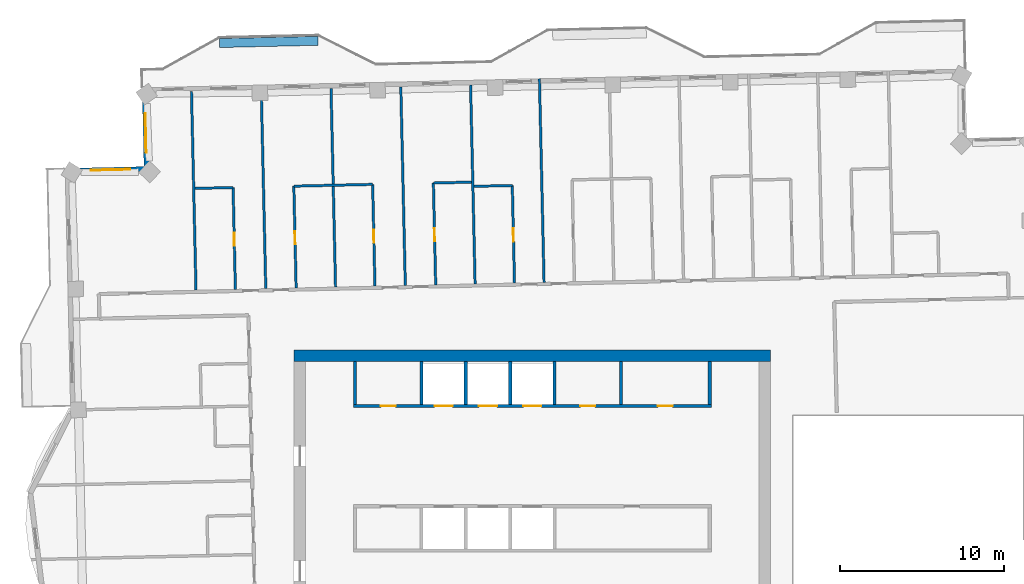
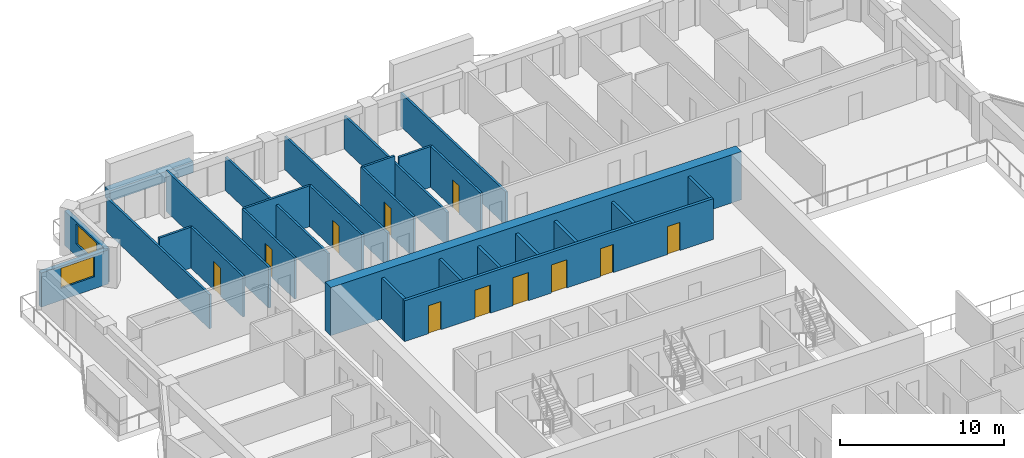
# One storey, part 13 of 20: 27 walls, 11 doors, 2 windows, 13 openings.
"""IFC4 building model written with IfcOpenShell, lengths in metres."""

from ifc_helpers import new_model, si_unit, direction, frame, frame_2d, origin, place, context, subcontext, project, spatial, rectangle, extrude, material, layer, layer_set, type_object, element, fill, save


model = new_model("IFC4")

# Units and contexts
model_context = context("Model", 3, precision=1e-05, world=origin(), true_north=direction((0.0, 1.0)))
body_context = subcontext(model_context, "Body", "Model", "MODEL_VIEW")
ifc_project = project(units=[si_unit("LENGTHUNIT", "METRE"), si_unit("AREAUNIT", "SQUARE_METRE"), si_unit("VOLUMEUNIT", "CUBIC_METRE"), si_unit("PLANEANGLEUNIT", "RADIAN"), si_unit("MASSUNIT", "GRAM", prefix="KILO")], contexts=[model_context])

# Site, building, storey
site_placement = place(None, origin())
site = spatial("IfcSite", under=ifc_project, at=site_placement, CompositionType="ELEMENT")
building_placement = place(site_placement, origin())
building = spatial("IfcBuilding", under=site, at=building_placement, Name="Mangrove Gate Tower", CompositionType="ELEMENT")
storey_placement = place(building_placement, frame((0.0, 0.0, 294.300048828125)))
storey = spatial("IfcBuildingStorey", under=building, at=storey_placement, Name="L75", CompositionType="ELEMENT", Elevation=294.300048828125)

# Walls
ifc_material_1 = material(Name="Concrete C32/40", Category="concrete")
ifc_layer_1 = layer(ifc_material_1, 0.199951171875)
ifc_layer_set_1 = layer_set([ifc_layer_1], Name="Core room wall 200 C32/40")
wall_type_1 = type_object("IfcWallType", Name="Core room wall 200 C32/40", PredefinedType="STANDARD", material=ifc_layer_set_1)
for number, where, z_axis, x_axis, name in (
    (1, (-10.800048828125, 8.199951171875, 0.0), (0.0, 0.0, 1.0), (0.0, 1.0, 0.0), "WALL-L75-CORE-25"),
    (2, (5.39990234375, 8.199951171875, 0.0), (0.0, 0.0, 1.0), (0.0, 1.0, 0.0), "WALL-L75-CORE-30"),
    (3, (10.800048828125, 8.199951171875, 0.0), (0.0, 0.0, 1.0), (0.0, 1.0, 0.0), "WALL-L75-CORE-31"),
):
    element("IfcWall", number, at=place(storey_placement, frame(where, z_axis=z_axis, x_axis=x_axis)), inside=storey, type_object=wall_type_1, Name=name, PredefinedType="STANDARD", context=body_context, shape_type="SweptSolid", body=[
        extrude(rectangle(XDim=2.60009765625, YDim=0.199951171875, at=frame_2d((1.300048828125, 0.0))), origin(), (0.0, 0.0, 1.0), 3.050048828125),
    ])

# Wall, openings, doors
ifc_material_2 = material(Name="Concrete C50/60", Category="concrete")
ifc_layer_2 = layer(ifc_material_2, 0.199951171875)
ifc_layer_set_2 = layer_set([ifc_layer_2], Name="Core shaft wall 200 C50/60")
wall_type_2 = type_object("IfcWallType", Name="Core shaft wall 200 C50/60", PredefinedType="SHEAR", material=ifc_layer_set_2)
wall_1_placement = place(storey_placement, frame((-10.89990234375, 8.10009765625, 0.0), z_axis=(0.0, 0.0, 1.0), x_axis=(1.0, 0.0, 0.0)))
wall_1 = element("IfcWall", 4, at=wall_1_placement, inside=storey, type_object=wall_type_2, Name="WALL-L75-CORE-8", PredefinedType="SHEAR", context=body_context, shape_type="SweptSolid", body=[
    extrude(rectangle(XDim=21.7998046875, YDim=0.199951171875, at=frame_2d((10.89990234375, 0.0))), origin(), (0.0, 0.0, 1.0), 3.050048828125),
])
opening_1_placement = place(wall_1_placement, frame((4.949951171875, 0.0, 0.0)))
opening_1 = element("IfcOpeningElement", 5, at=opening_1_placement, cuts=wall_1, Name="Opening LD", PredefinedType="OPENING", context=body_context, shape_type="SweptSolid", body=[
    extrude(rectangle(XDim=1.10009765625, YDim=2.10009765625, at=frame_2d((0.550048828125, 1.050048828125))), frame((0.0, 0.10986328125, 0.0), z_axis=(0.0, -1.0, 0.0), x_axis=(1.0, 0.0, 0.0)), (0.0, 0.0, 1.0), 0.219970703125),
])
opening_2_placement = place(wall_1_placement, frame((7.64990234375, 0.0, 0.0)))
opening_2 = element("IfcOpeningElement", 6, at=opening_2_placement, cuts=wall_1, Name="Opening LD", PredefinedType="OPENING", context=body_context, shape_type="SweptSolid", body=[
    extrude(rectangle(XDim=1.10009765625, YDim=2.10009765625, at=frame_2d((0.550048828125, 1.050048828125))), frame((0.0, 0.10986328125, 0.0), z_axis=(0.0, -1.0, 0.0), x_axis=(1.0, 0.0, 0.0)), (0.0, 0.0, 1.0), 0.219970703125),
])
opening_3_placement = place(wall_1_placement, frame((10.35009765625, 0.0, 0.0)))
opening_3 = element("IfcOpeningElement", 7, at=opening_3_placement, cuts=wall_1, Name="Opening LD", PredefinedType="OPENING", context=body_context, shape_type="SweptSolid", body=[
    extrude(rectangle(XDim=1.10009765625, YDim=2.10009765625, at=frame_2d((0.550048828125, 1.050048828125))), frame((0.0, 0.10986328125, 0.0), z_axis=(0.0, -1.0, 0.0), x_axis=(1.0, 0.0, 0.0)), (0.0, 0.0, 1.0), 0.219970703125),
])
opening_4_placement = place(wall_1_placement, frame((1.675048828125, 0.0, 0.0)))
opening_4 = element("IfcOpeningElement", 8, at=opening_4_placement, cuts=wall_1, Name="Opening RD", PredefinedType="OPENING", context=body_context, shape_type="SweptSolid", body=[
    extrude(rectangle(XDim=0.89990234375, YDim=2.10009765625, at=frame_2d((0.449951171875, 1.050048828125))), frame((0.0, 0.10986328125, 0.0), z_axis=(0.0, -1.0, 0.0), x_axis=(1.0, 0.0, 0.0)), (0.0, 0.0, 1.0), 0.219970703125),
])
opening_5_placement = place(wall_1_placement, frame((13.824951171875, 0.0, 0.0)))
opening_5 = element("IfcOpeningElement", 9, at=opening_5_placement, cuts=wall_1, Name="Opening RD", PredefinedType="OPENING", context=body_context, shape_type="SweptSolid", body=[
    extrude(rectangle(XDim=0.89990234375, YDim=2.10009765625, at=frame_2d((0.449951171875, 1.050048828125))), frame((0.0, 0.10986328125, 0.0), z_axis=(0.0, -1.0, 0.0), x_axis=(1.0, 0.0, 0.0)), (0.0, 0.0, 1.0), 0.219970703125),
])
opening_6_placement = place(wall_1_placement, frame((18.550048828125, 0.0, 0.0)))
opening_6 = element("IfcOpeningElement", 10, at=opening_6_placement, cuts=wall_1, Name="Opening KD", PredefinedType="OPENING", context=body_context, shape_type="SweptSolid", body=[
    extrude(rectangle(XDim=0.89990234375, YDim=2.10009765625, at=frame_2d((0.449951171875, 1.050048828125))), frame((0.0, 0.10986328125, 0.0), z_axis=(0.0, -1.0, 0.0), x_axis=(1.0, 0.0, 0.0)), (0.0, 0.0, 1.0), 0.219970703125),
])
ifc_material_3 = material(Name="Fire-rated steel door set", Category="steel")
door_type_1 = type_object("IfcDoorType", Name="Core room door FD30S 900x2100", OperationType="SINGLE_SWING_RIGHT", PredefinedType="DOOR", material=ifc_material_3)
door_1_placement = place(opening_6_placement, origin())
door_1 = element("IfcDoor", 11, at=door_1_placement, inside=storey, type_object=door_type_1, Name="Core room door Core WC", OperationType="SINGLE_SWING_RIGHT", OverallHeight=2.10009765625, OverallWidth=0.89990234375, PredefinedType="DOOR", context=body_context, shape_type="SweptSolid", body=[
    extrude(rectangle(XDim=0.89990234375, YDim=2.10009765625, at=frame_2d((0.449951171875, 1.050048828125))), frame((0.0, 0.02490234375, 0.0), z_axis=(0.0, -1.0, 0.0), x_axis=(1.0, 0.0, 0.0)), (0.0, 0.0, 1.0), 0.050048828125),
])
fill(opening_6, door_1)
ifc_material_4 = material(Name="Stainless steel 316", Category="steel")
door_type_2 = type_object("IfcDoorType", Name="Lift landing door 1100x2100", OperationType="SLIDING_TO_LEFT", PredefinedType="DOOR", material=ifc_material_4)
door_2_placement = place(opening_1_placement, origin())
door_2 = element("IfcDoor", 12, at=door_2_placement, inside=storey, type_object=door_type_2, Name="Landing door LD H04", OperationType="SLIDING_TO_LEFT", OverallHeight=2.10009765625, OverallWidth=1.10009765625, PredefinedType="DOOR", context=body_context, shape_type="SweptSolid", body=[
    extrude(rectangle(XDim=1.10009765625, YDim=2.10009765625, at=frame_2d((0.550048828125, 1.050048828125))), frame((0.0, 0.02490234375, 0.0), z_axis=(0.0, -1.0, 0.0), x_axis=(1.0, 0.0, 0.0)), (0.0, 0.0, 1.0), 0.050048828125),
])
fill(opening_1, door_2)
door_3_placement = place(opening_2_placement, origin())
door_3 = element("IfcDoor", 13, at=door_3_placement, inside=storey, type_object=door_type_2, Name="Landing door LD H05", OperationType="SLIDING_TO_LEFT", OverallHeight=2.10009765625, OverallWidth=1.10009765625, PredefinedType="DOOR", context=body_context, shape_type="SweptSolid", body=[
    extrude(rectangle(XDim=1.10009765625, YDim=2.10009765625, at=frame_2d((0.550048828125, 1.050048828125))), frame((0.0, 0.02490234375, 0.0), z_axis=(0.0, -1.0, 0.0), x_axis=(1.0, 0.0, 0.0)), (0.0, 0.0, 1.0), 0.050048828125),
])
fill(opening_2, door_3)
door_4_placement = place(opening_3_placement, origin())
door_4 = element("IfcDoor", 14, at=door_4_placement, inside=storey, type_object=door_type_2, Name="Landing door LD H06", OperationType="SLIDING_TO_LEFT", OverallHeight=2.10009765625, OverallWidth=1.10009765625, PredefinedType="DOOR", context=body_context, shape_type="SweptSolid", body=[
    extrude(rectangle(XDim=1.10009765625, YDim=2.10009765625, at=frame_2d((0.550048828125, 1.050048828125))), frame((0.0, 0.02490234375, 0.0), z_axis=(0.0, -1.0, 0.0), x_axis=(1.0, 0.0, 0.0)), (0.0, 0.0, 1.0), 0.050048828125),
])
fill(opening_3, door_4)
ifc_material_5 = material(Name="Fire-rated steel door set", Category="steel")
door_type_3 = type_object("IfcDoorType", Name="Riser door FD30S 900x2100", OperationType="SINGLE_SWING_LEFT", PredefinedType="DOOR", material=ifc_material_5)
door_5_placement = place(opening_4_placement, origin())
door_5 = element("IfcDoor", 15, at=door_5_placement, inside=storey, type_object=door_type_3, Name="Riser door Switch room", OperationType="SINGLE_SWING_LEFT", OverallHeight=2.10009765625, OverallWidth=0.89990234375, PredefinedType="DOOR", context=body_context, shape_type="SweptSolid", body=[
    extrude(rectangle(XDim=0.89990234375, YDim=2.10009765625, at=frame_2d((0.449951171875, 1.050048828125))), frame((0.0, 0.02490234375, 0.0), z_axis=(0.0, -1.0, 0.0), x_axis=(1.0, 0.0, 0.0)), (0.0, 0.0, 1.0), 0.050048828125),
])
fill(opening_4, door_5)
door_6_placement = place(opening_5_placement, origin())
door_6 = element("IfcDoor", 16, at=door_6_placement, inside=storey, type_object=door_type_3, Name="Riser door Comms room", OperationType="SINGLE_SWING_LEFT", OverallHeight=2.10009765625, OverallWidth=0.89990234375, PredefinedType="DOOR", context=body_context, shape_type="SweptSolid", body=[
    extrude(rectangle(XDim=0.89990234375, YDim=2.10009765625, at=frame_2d((0.449951171875, 1.050048828125))), frame((0.0, 0.02490234375, 0.0), z_axis=(0.0, -1.0, 0.0), x_axis=(1.0, 0.0, 0.0)), (0.0, 0.0, 1.0), 0.050048828125),
])
fill(opening_5, door_6)

# Walls
for number, where, z_axis, x_axis, name in (
    (17, (-6.75, 8.199951171875, 0.0), (0.0, 0.0, 1.0), (0.0, 1.0, 0.0), "WALL-L75-CORE-26"),
    (18, (-4.050048828125, 8.199951171875, 0.0), (0.0, 0.0, 1.0), (0.0, 1.0, 0.0), "WALL-L75-CORE-27"),
    (19, (-1.35009765625, 8.199951171875, 0.0), (0.0, 0.0, 1.0), (0.0, 1.0, 0.0), "WALL-L75-CORE-28"),
    (20, (1.35009765625, 8.199951171875, 0.0), (0.0, 0.0, 1.0), (0.0, 1.0, 0.0), "WALL-L75-CORE-29"),
):
    element("IfcWall", number, at=place(storey_placement, frame(where, z_axis=z_axis, x_axis=x_axis)), inside=storey, type_object=wall_type_2, Name=name, PredefinedType="SHEAR", context=body_context, shape_type="SweptSolid", body=[
        extrude(rectangle(XDim=2.60009765625, YDim=0.199951171875, at=frame_2d((1.300048828125, 0.0))), origin(), (0.0, 0.0, 1.0), 3.050048828125),
    ])
ifc_material_6 = material(Name="Concrete C50/60", Category="concrete")
ifc_layer_3 = layer(ifc_material_6, 0.699951171875)
ifc_layer_set_3 = layer_set([ifc_layer_3], Name="Core wall 700 C50/60")
wall_type_3 = type_object("IfcWallType", Name="Core wall 700 C50/60", PredefinedType="SHEAR", material=ifc_layer_set_3)
wall_2_placement = place(storey_placement, frame((-14.5, 11.14990234375, 0.0), z_axis=(0.0, 0.0, 1.0), x_axis=(1.0, 0.0, 0.0)))
element("IfcWall", 21, at=wall_2_placement, inside=storey, type_object=wall_type_3, Name="WALL-L75-CORE-2", PredefinedType="SHEAR", context=body_context, shape_type="SweptSolid", body=[
    extrude(rectangle(XDim=29.0, YDim=0.699951171875, at=frame_2d((14.5, 0.0))), origin(), (0.0, 0.0, 1.0), 3.599853515625),
])

# Wall, opening, window
ifc_material_7 = material(Name="Limestone", Category="masonry")
ifc_layer_4 = layer(ifc_material_7, 0.0400390625, Name="Limestone cladding")
ifc_material_8 = material(Name="Ventilated air gap")
ifc_layer_5 = layer(ifc_material_8, 0.0400390625, Name="Ventilated cavity")
ifc_material_9 = material(Name="Mineral wool insulation")
ifc_layer_6 = layer(ifc_material_9, 0.06005859375, Name="Insulation")
ifc_material_10 = material(Name="Breather membrane")
ifc_layer_7 = layer(ifc_material_10, 0.001953125, Name="Breather membrane")
ifc_material_11 = material(Name="Concrete C20/25 blockwork", Category="masonry")
ifc_layer_8 = layer(ifc_material_11, 0.14990234375, Name="Blockwork backing wall")
ifc_material_12 = material(Name="Gypsum plaster")
ifc_layer_9 = layer(ifc_material_12, 0.008056640625, Name="Internal plaster")
ifc_layer_set_4 = layer_set([ifc_layer_4, ifc_layer_5, ifc_layer_6, ifc_layer_7, ifc_layer_8, ifc_layer_9], Name="External wall 300 limestone cladding")
wall_type_4 = type_object("IfcWallType", Name="External wall 300 limestone cladding", PredefinedType="SOLIDWALL", material=ifc_layer_set_4)
wall_3_placement = place(storey_placement, frame((-23.60693359375, 27.3349609375, 0.0), z_axis=(0.0, 0.0, 1.0), x_axis=(0.022683280499, -0.999742701292, 0.0)))
wall_3 = element("IfcWall", 22, at=wall_3_placement, inside=storey, type_object=wall_type_4, Name="WALL-L75-W6", PredefinedType="SOLIDWALL", context=body_context, shape_type="SweptSolid", body=[
    extrude(rectangle(XDim=4.80029296875, YDim=0.300048828125, at=frame_2d((2.400146484375, 0.0))), origin(), (0.0, 0.0, 1.0), 2.550048828125),
])
opening_7_placement = place(wall_3_placement, frame((1.408935546875, 0.0, 0.89990234375)))
opening_7 = element("IfcOpeningElement", 23, at=opening_7_placement, cuts=wall_3, Name="Opening W2", PredefinedType="OPENING", context=body_context, shape_type="SweptSolid", body=[
    extrude(rectangle(XDim=2.39990234375, YDim=1.5, at=frame_2d((1.199951171875, 0.75))), frame((0.0, 0.159912109375, 0.0), z_axis=(0.0, -1.0, 0.0), x_axis=(1.0, 0.0, 0.0)), (0.0, 0.0, 1.0), 0.320068359375),
])
ifc_material_13 = material(Name="Aluminium frame with double-glazed low-e glass", Category="aluminium")
window_type = type_object("IfcWindowType", Name="Corner room window 2400x1500", PartitioningType="DOUBLE_PANEL_VERTICAL", PredefinedType="WINDOW", material=ifc_material_13)
window_1_placement = place(opening_7_placement, origin())
window_1 = element("IfcWindow", 24, at=window_1_placement, inside=storey, type_object=window_type, Name="WIN-L75-W6-1", OverallHeight=1.5, OverallWidth=2.39990234375, PartitioningType="DOUBLE_PANEL_VERTICAL", PredefinedType="WINDOW", context=body_context, shape_type="SweptSolid", body=[
    extrude(rectangle(XDim=2.39990234375, YDim=1.5, at=frame_2d((1.199951171875, 0.75))), frame((0.0, 0.030029296875, 0.0), z_axis=(0.0, -1.0, 0.0), x_axis=(1.0, 0.0, 0.0)), (0.0, 0.0, 1.0), 0.06005859375),
])
fill(opening_7, window_1)

wall_4_placement = place(storey_placement, frame((-23.498046875, 22.535888671875, 0.0), z_axis=(0.0, 0.0, 1.0), x_axis=(-0.999742701292, -0.022683280499, 0.0)))
wall_4 = element("IfcWall", 25, at=wall_4_placement, inside=storey, type_object=wall_type_4, Name="WALL-L75-N7", PredefinedType="SOLIDWALL", context=body_context, shape_type="SweptSolid", body=[
    extrude(rectangle(XDim=4.80029296875, YDim=0.300048828125, at=frame_2d((2.400146484375, 0.0))), origin(), (0.0, 0.0, 1.0), 2.550048828125),
])
opening_8_placement = place(wall_4_placement, frame((0.989990234375, 0.0, 0.89990234375)))
opening_8 = element("IfcOpeningElement", 26, at=opening_8_placement, cuts=wall_4, Name="Opening W2", PredefinedType="OPENING", context=body_context, shape_type="SweptSolid", body=[
    extrude(rectangle(XDim=2.39990234375, YDim=1.5, at=frame_2d((1.199951171875, 0.75))), frame((0.0, 0.159912109375, 0.0), z_axis=(0.0, -1.0, 0.0), x_axis=(1.0, 0.0, 0.0)), (0.0, 0.0, 1.0), 0.320068359375),
])
window_2_placement = place(opening_8_placement, origin())
window_2 = element("IfcWindow", 27, at=window_2_placement, inside=storey, type_object=window_type, Name="WIN-L75-N7-1", OverallHeight=1.5, OverallWidth=2.39990234375, PartitioningType="DOUBLE_PANEL_VERTICAL", PredefinedType="WINDOW", context=body_context, shape_type="SweptSolid", body=[
    extrude(rectangle(XDim=2.39990234375, YDim=1.5, at=frame_2d((1.199951171875, 0.75))), frame((0.0, 0.030029296875, 0.0), z_axis=(0.0, -1.0, 0.0), x_axis=(1.0, 0.0, 0.0)), (0.0, 0.0, 1.0), 0.06005859375),
])
fill(opening_8, window_2)

# Wall
ifc_material_14 = material(Name="Gypsum board on steel stud, EI 60", Category="steel")
ifc_layer_10 = layer(ifc_material_14, 0.14990234375)
ifc_layer_set_5 = layer_set([ifc_layer_10], Name="Party wall 150 EI 60")
wall_type_5 = type_object("IfcWallType", Name="Party wall 150 EI 60", PredefinedType="PARTITIONING", material=ifc_layer_set_5)
wall_5_placement = place(storey_placement, frame((-20.48193359375, 15.152099609375, 0.0), z_axis=(0.0, 0.0, 1.0), x_axis=(-0.022737445516, 0.999741470867, 0.0)))
element("IfcWall", 28, at=wall_5_placement, inside=storey, type_object=wall_type_5, Name="WALL-L75-061", PredefinedType="PARTITIONING", context=body_context, shape_type="SweptSolid", body=[
    extrude(rectangle(XDim=12.10107421875, YDim=0.14990234375, at=frame_2d((6.050537109375, 0.0))), origin(), (0.0, 0.0, 1.0), 2.550048828125),
])

# Wall, opening, door
wall_6_placement = place(storey_placement, frame((-18.0830078125, 15.20703125, 0.0), z_axis=(0.0, 0.0, 1.0), x_axis=(-0.022564860101, 0.999745381129, 0.0)))
wall_6 = element("IfcWall", 29, at=wall_6_placement, inside=storey, type_object=wall_type_5, Name="WALL-L75-062", PredefinedType="PARTITIONING", context=body_context, shape_type="SweptSolid", body=[
    extrude(rectangle(XDim=6.199462890625, YDim=0.14990234375, at=frame_2d((3.099609375, 0.0))), origin(), (0.0, 0.0, 1.0), 3.050048828125),
])
opening_9_placement = place(wall_6_placement, frame((2.64990234375, 0.0, 0.0)))
opening_9 = element("IfcOpeningElement", 30, at=opening_9_placement, cuts=wall_6, Name="Opening ED", PredefinedType="OPENING", context=body_context, shape_type="SweptSolid", body=[
    extrude(rectangle(XDim=0.800048828125, YDim=2.10009765625, at=frame_2d((0.39990234375, 1.050048828125))), frame((0.0, 0.0849609375, 0.0), z_axis=(0.0, -1.0, 0.0), x_axis=(1.0, 0.0, 0.0)), (0.0, 0.0, 1.0), 0.169921875),
])
ifc_material_15 = material(Name="Timber door leaf", Category="wood")
door_type_4 = type_object("IfcDoorType", Name="En-suite door 800", OperationType="SINGLE_SWING_LEFT", PredefinedType="DOOR", material=ifc_material_15)
door_7_placement = place(opening_9_placement, origin())
door_7 = element("IfcDoor", 31, at=door_7_placement, inside=storey, type_object=door_type_4, Name="DOOR-L75-ENS-c519", OperationType="SINGLE_SWING_LEFT", OverallHeight=2.10009765625, OverallWidth=0.800048828125, PredefinedType="DOOR", context=body_context, shape_type="SweptSolid", body=[
    extrude(rectangle(XDim=0.800048828125, YDim=2.10009765625, at=frame_2d((0.39990234375, 1.050048828125))), frame((0.0, 0.02490234375, 0.0), z_axis=(0.0, -1.0, 0.0), x_axis=(1.0, 0.0, 0.0)), (0.0, 0.0, 1.0), 0.050048828125),
])
fill(opening_9, door_7)

# Wall
wall_7_placement = place(storey_placement, frame((-16.23291015625, 15.2490234375, 0.0), z_axis=(0.0, 0.0, 1.0), x_axis=(-0.02273928012, 0.99974142914, 0.0)))
element("IfcWall", 32, at=wall_7_placement, inside=storey, type_object=wall_type_5, Name="WALL-L75-063", PredefinedType="PARTITIONING", context=body_context, shape_type="SweptSolid", body=[
    extrude(rectangle(XDim=12.10009765625, YDim=0.14990234375, at=frame_2d((6.050048828125, 0.0))), origin(), (0.0, 0.0, 1.0), 3.050048828125),
])

# Wall, opening, door
wall_8_placement = place(storey_placement, frame((-14.384033203125, 15.291015625, 0.0), z_axis=(0.0, 0.0, 1.0), x_axis=(-0.022564860101, 0.999745381129, 0.0)))
wall_8 = element("IfcWall", 33, at=wall_8_placement, inside=storey, type_object=wall_type_5, Name="WALL-L75-064", PredefinedType="PARTITIONING", context=body_context, shape_type="SweptSolid", body=[
    extrude(rectangle(XDim=6.199462890625, YDim=0.14990234375, at=frame_2d((3.099609375, 0.0))), origin(), (0.0, 0.0, 1.0), 3.050048828125),
])
opening_10_placement = place(wall_8_placement, frame((2.64990234375, 0.0, 0.0)))
opening_10 = element("IfcOpeningElement", 34, at=opening_10_placement, cuts=wall_8, Name="Opening ED", PredefinedType="OPENING", context=body_context, shape_type="SweptSolid", body=[
    extrude(rectangle(XDim=0.800048828125, YDim=2.10009765625, at=frame_2d((0.39990234375, 1.050048828125))), frame((0.0, 0.0849609375, 0.0), z_axis=(0.0, -1.0, 0.0), x_axis=(1.0, 0.0, 0.0)), (0.0, 0.0, 1.0), 0.169921875),
])
door_8_placement = place(opening_10_placement, origin())
door_8 = element("IfcDoor", 35, at=door_8_placement, inside=storey, type_object=door_type_4, Name="DOOR-L75-ENS-c518", OperationType="SINGLE_SWING_RIGHT", OverallHeight=2.10009765625, OverallWidth=0.800048828125, PredefinedType="DOOR", context=body_context, shape_type="SweptSolid", body=[
    extrude(rectangle(XDim=0.800048828125, YDim=2.10009765625, at=frame_2d((0.39990234375, 1.050048828125))), frame((0.0, 0.02490234375, 0.0), z_axis=(0.0, -1.0, 0.0), x_axis=(1.0, 0.0, 0.0)), (0.0, 0.0, 1.0), 0.050048828125),
])
fill(opening_10, door_8)

# Wall
wall_9_placement = place(storey_placement, frame((-11.98388671875, 15.344970703125, 0.0), z_axis=(0.0, 0.0, 1.0), x_axis=(-0.02273928012, 0.99974142914, 0.0)))
element("IfcWall", 36, at=wall_9_placement, inside=storey, type_object=wall_type_5, Name="WALL-L75-065", PredefinedType="PARTITIONING", context=body_context, shape_type="SweptSolid", body=[
    extrude(rectangle(XDim=12.10009765625, YDim=0.14990234375, at=frame_2d((6.050048828125, 0.0))), origin(), (0.0, 0.0, 1.0), 2.5),
])

# Wall, opening, door
wall_10_placement = place(storey_placement, frame((-9.5849609375, 15.39990234375, 0.0), z_axis=(0.0, 0.0, 1.0), x_axis=(-0.022604220207, 0.999744491972, 0.0)))
wall_10 = element("IfcWall", 37, at=wall_10_placement, inside=storey, type_object=wall_type_5, Name="WALL-L75-066", PredefinedType="PARTITIONING", context=body_context, shape_type="SweptSolid", body=[
    extrude(rectangle(XDim=6.199462890625, YDim=0.14990234375, at=frame_2d((3.099609375, 0.0))), origin(), (0.0, 0.0, 1.0), 3.050048828125),
])
opening_11_placement = place(wall_10_placement, frame((2.64990234375, 0.0, 0.0)))
opening_11 = element("IfcOpeningElement", 38, at=opening_11_placement, cuts=wall_10, Name="Opening ED", PredefinedType="OPENING", context=body_context, shape_type="SweptSolid", body=[
    extrude(rectangle(XDim=0.800048828125, YDim=2.10009765625, at=frame_2d((0.39990234375, 1.050048828125))), frame((0.0, 0.0849609375, 0.0), z_axis=(0.0, -1.0, 0.0), x_axis=(1.0, 0.0, 0.0)), (0.0, 0.0, 1.0), 0.169921875),
])
door_9_placement = place(opening_11_placement, origin())
door_9 = element("IfcDoor", 39, at=door_9_placement, inside=storey, type_object=door_type_4, Name="DOOR-L75-ENS-c517", OperationType="SINGLE_SWING_LEFT", OverallHeight=2.10009765625, OverallWidth=0.800048828125, PredefinedType="DOOR", context=body_context, shape_type="SweptSolid", body=[
    extrude(rectangle(XDim=0.800048828125, YDim=2.10009765625, at=frame_2d((0.39990234375, 1.050048828125))), frame((0.0, 0.02490234375, 0.0), z_axis=(0.0, -1.0, 0.0), x_axis=(1.0, 0.0, 0.0)), (0.0, 0.0, 1.0), 0.050048828125),
])
fill(opening_11, door_9)

# Wall
wall_11_placement = place(storey_placement, frame((-7.735107421875, 15.44189453125, 0.0), z_axis=(0.0, 0.0, 1.0), x_axis=(-0.022718655443, 0.999741898039, 0.0)))
element("IfcWall", 40, at=wall_11_placement, inside=storey, type_object=wall_type_5, Name="WALL-L75-067", PredefinedType="PARTITIONING", context=body_context, shape_type="SweptSolid", body=[
    extrude(rectangle(XDim=12.100341796875, YDim=0.14990234375, at=frame_2d((6.05029296875, 0.0))), origin(), (0.0, 0.0, 1.0), 2.5),
])

# Wall, opening, door
wall_12_placement = place(storey_placement, frame((-5.885986328125, 15.48388671875, 0.0), z_axis=(0.0, 0.0, 1.0), x_axis=(-0.022564860101, 0.999745381129, 0.0)))
wall_12 = element("IfcWall", 41, at=wall_12_placement, inside=storey, type_object=wall_type_5, Name="WALL-L75-068", PredefinedType="PARTITIONING", context=body_context, shape_type="SweptSolid", body=[
    extrude(rectangle(XDim=6.199462890625, YDim=0.14990234375, at=frame_2d((3.099609375, 0.0))), origin(), (0.0, 0.0, 1.0), 3.050048828125),
])
opening_12_placement = place(wall_12_placement, frame((2.64990234375, 0.0, 0.0)))
opening_12 = element("IfcOpeningElement", 42, at=opening_12_placement, cuts=wall_12, Name="Opening ED", PredefinedType="OPENING", context=body_context, shape_type="SweptSolid", body=[
    extrude(rectangle(XDim=0.800048828125, YDim=2.10009765625, at=frame_2d((0.39990234375, 1.050048828125))), frame((0.0, 0.0849609375, 0.0), z_axis=(0.0, -1.0, 0.0), x_axis=(1.0, 0.0, 0.0)), (0.0, 0.0, 1.0), 0.169921875),
])
door_10_placement = place(opening_12_placement, origin())
door_10 = element("IfcDoor", 43, at=door_10_placement, inside=storey, type_object=door_type_4, Name="DOOR-L75-ENS-c416", OperationType="SINGLE_SWING_RIGHT", OverallHeight=2.10009765625, OverallWidth=0.800048828125, PredefinedType="DOOR", context=body_context, shape_type="SweptSolid", body=[
    extrude(rectangle(XDim=0.800048828125, YDim=2.10009765625, at=frame_2d((0.39990234375, 1.050048828125))), frame((0.0, 0.02490234375, 0.0), z_axis=(0.0, -1.0, 0.0), x_axis=(1.0, 0.0, 0.0)), (0.0, 0.0, 1.0), 0.050048828125),
])
fill(opening_12, door_10)

# Wall
wall_13_placement = place(storey_placement, frame((-3.486083984375, 15.5380859375, 0.0), z_axis=(0.0, 0.0, 1.0), x_axis=(-0.022719113715, 0.999741887625, 0.0)))
element("IfcWall", 44, at=wall_13_placement, inside=storey, type_object=wall_type_5, Name="WALL-L75-069", PredefinedType="PARTITIONING", context=body_context, shape_type="SweptSolid", body=[
    extrude(rectangle(XDim=12.10009765625, YDim=0.14990234375, at=frame_2d((6.050048828125, 0.0))), origin(), (0.0, 0.0, 1.0), 2.5),
])

# Wall, opening, door
wall_14_placement = place(storey_placement, frame((-1.0869140625, 15.593017578125, 0.0), z_axis=(0.0, 0.0, 1.0), x_axis=(-0.022730742442, 0.999741623295, 0.0)))
wall_14 = element("IfcWall", 45, at=wall_14_placement, inside=storey, type_object=wall_type_5, Name="WALL-L75-070", PredefinedType="PARTITIONING", context=body_context, shape_type="SweptSolid", body=[
    extrude(rectangle(XDim=5.939453125, YDim=0.14990234375, at=frame_2d((2.9697265625, 0.0))), origin(), (0.0, 0.0, 1.0), 3.050048828125),
])
opening_13_placement = place(wall_14_placement, frame((2.52001953125, 0.0, 0.0)))
opening_13 = element("IfcOpeningElement", 46, at=opening_13_placement, cuts=wall_14, Name="Opening ED", PredefinedType="OPENING", context=body_context, shape_type="SweptSolid", body=[
    extrude(rectangle(XDim=0.800048828125, YDim=2.10009765625, at=frame_2d((0.39990234375, 1.050048828125))), frame((0.0, 0.0849609375, 0.0), z_axis=(0.0, -1.0, 0.0), x_axis=(1.0, 0.0, 0.0)), (0.0, 0.0, 1.0), 0.169921875),
])
door_11_placement = place(opening_13_placement, origin())
door_11 = element("IfcDoor", 47, at=door_11_placement, inside=storey, type_object=door_type_4, Name="DOOR-L75-ENS-c415", OperationType="SINGLE_SWING_LEFT", OverallHeight=2.10009765625, OverallWidth=0.800048828125, PredefinedType="DOOR", context=body_context, shape_type="SweptSolid", body=[
    extrude(rectangle(XDim=0.800048828125, YDim=2.10009765625, at=frame_2d((0.39990234375, 1.050048828125))), frame((0.0, 0.02490234375, 0.0), z_axis=(0.0, -1.0, 0.0), x_axis=(1.0, 0.0, 0.0)), (0.0, 0.0, 1.0), 0.050048828125),
])
fill(opening_13, door_11)

# Walls
wall_15_placement = place(storey_placement, frame((0.712890625, 15.633056640625, 0.0), z_axis=(0.0, 0.0, 1.0), x_axis=(-0.022740189192, 0.999741408463, 0.0)))
element("IfcWall", 48, at=wall_15_placement, inside=storey, type_object=wall_type_5, Name="WALL-L75-071", PredefinedType="PARTITIONING", context=body_context, shape_type="SweptSolid", body=[
    extrude(rectangle(XDim=12.400146484375, YDim=0.14990234375, at=frame_2d((6.2001953125, 0.0))), origin(), (0.0, 0.0, 1.0), 2.5),
])
wall_16_placement = place(storey_placement, frame((-3.5439453125, 21.47802734375, 0.0), z_axis=(0.0, 0.0, 1.0), x_axis=(0.999740260747, 0.02279059109, 0.0)))
element("IfcWall", 49, at=wall_16_placement, inside=storey, type_object=wall_type_5, Name="WALL-L75-084", PredefinedType="PARTITIONING", context=body_context, shape_type="SweptSolid", body=[
    extrude(rectangle(XDim=2.324462890625, YDim=0.14990234375, at=frame_2d((1.162109375, 0.0))), origin(), (0.0, 0.0, 1.0), 3.050048828125),
])
wall_17_placement = place(storey_placement, frame((-20.5458984375, 21.35302734375, 0.0), z_axis=(0.0, 0.0, 1.0), x_axis=(0.999749954681, 0.022361308448, 0.0)))
element("IfcWall", 50, at=wall_17_placement, inside=storey, type_object=wall_type_5, Name="WALL-L75-086", PredefinedType="PARTITIONING", context=body_context, shape_type="SweptSolid", body=[
    extrude(rectangle(XDim=2.325439453125, YDim=0.14990234375, at=frame_2d((1.16259765625, 0.0))), origin(), (0.0, 0.0, 1.0), 3.050048828125),
])
wall_18_placement = place(storey_placement, frame((-14.52197265625, 21.489013671875, 0.0), z_axis=(0.0, 0.0, 1.0), x_axis=(0.999742701292, 0.022683280499, 0.0)))
element("IfcWall", 51, at=wall_18_placement, inside=storey, type_object=wall_type_5, Name="WALL-L75-087", PredefinedType="PARTITIONING", context=body_context, shape_type="SweptSolid", body=[
    extrude(rectangle(XDim=4.80029296875, YDim=0.14990234375, at=frame_2d((2.400146484375, 0.0))), origin(), (0.0, 0.0, 1.0), 3.050048828125),
])
wall_19_placement = place(storey_placement, frame((-6.02392578125, 21.681884765625, 0.0), z_axis=(0.0, 0.0, 1.0), x_axis=(0.999737862264, 0.022895561926, 0.0)))
element("IfcWall", 52, at=wall_19_placement, inside=storey, type_object=wall_type_5, Name="WALL-L75-088", PredefinedType="PARTITIONING", context=body_context, shape_type="SweptSolid", body=[
    extrude(rectangle(XDim=2.324462890625, YDim=0.14990234375, at=frame_2d((1.162109375, 0.0))), origin(), (0.0, 0.0, 1.0), 3.050048828125),
])
ifc_material_16 = material(Name="Concrete C32/40", Category="concrete")
ifc_layer_11 = layer(ifc_material_16, 0.199951171875, Name="Planter trough wall")
ifc_material_17 = material(Name="Bituminous waterproofing membrane")
ifc_layer_12 = layer(ifc_material_17, 0.0048828125, Name="Waterproofing")
ifc_material_18 = material(Name="Drainage board and gravel")
ifc_layer_13 = layer(ifc_material_18, 0.044921875, Name="Drainage layer")
ifc_material_19 = material(Name="Planting soil")
ifc_layer_14 = layer(ifc_material_19, 0.300048828125, Name="Growing medium")
ifc_layer_set_6 = layer_set([ifc_layer_11, ifc_layer_12, ifc_layer_13, ifc_layer_14], Name="Planter wall 550 C32/40")
wall_type_6 = type_object("IfcWallType", Name="Planter wall 550 C32/40", PredefinedType="USERDEFINED", material=ifc_layer_set_6)
wall_20_placement = place(storey_placement, frame((-19.052978515625, 30.2041015625, 0.0), z_axis=(0.0, 0.0, 1.0), x_axis=(0.999743094499, 0.022665943652, 0.0)))
element("IfcWall", 53, at=wall_20_placement, inside=storey, type_object=wall_type_6, Name="PLANTER L75 N1.1", ObjectType="PLANTER", PredefinedType="USERDEFINED", context=body_context, shape_type="SweptSolid", body=[
    extrude(rectangle(XDim=5.99951171875, YDim=0.550048828125, at=frame_2d((2.999755859375, 0.0))), origin(), (0.0, 0.0, 1.0), 0.800048828125),
])

save(model, "model.ifc")
